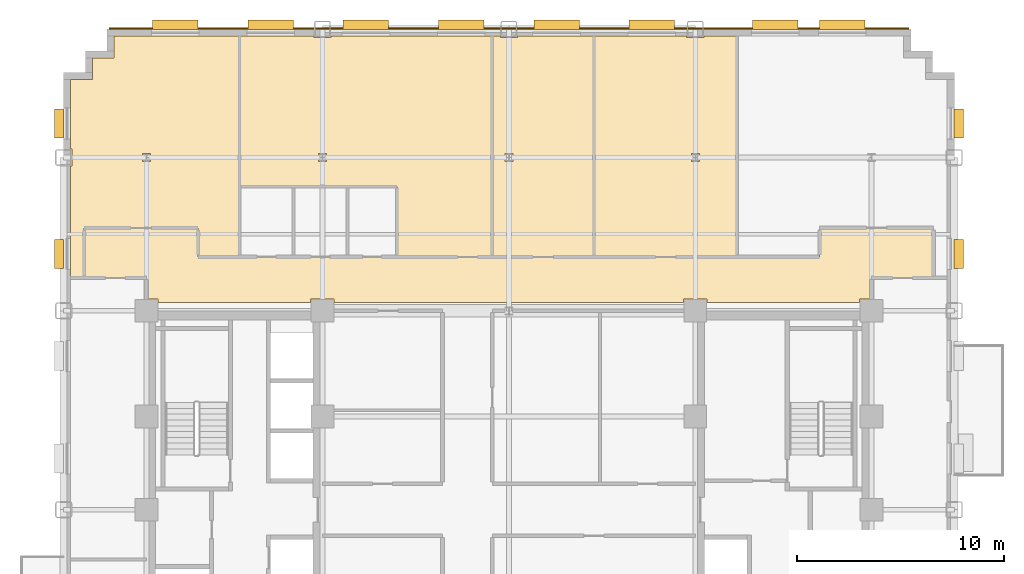
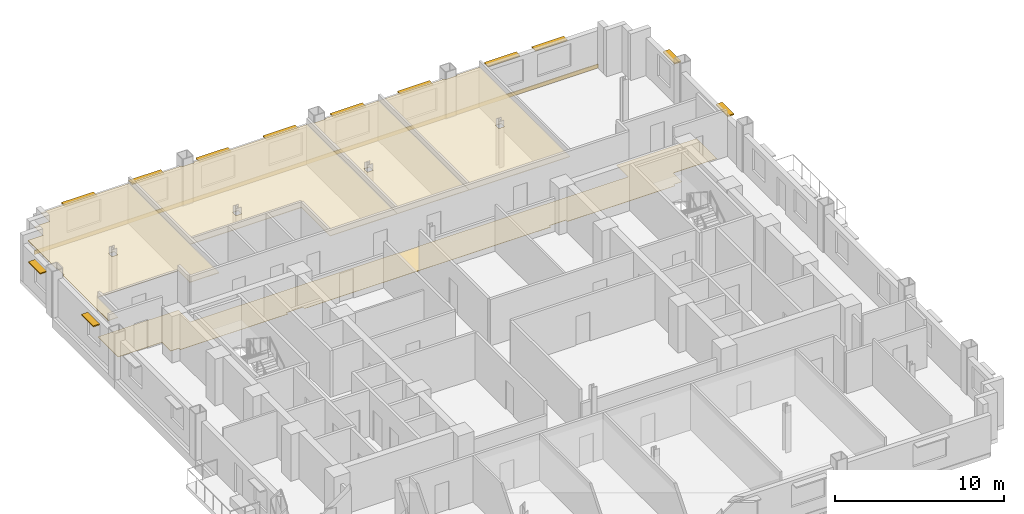
# One storey, part 14 of 14: 12 shading devices, 6 coverings.
"""IFC4 building model written with IfcOpenShell, lengths in metres."""

import ifcopenshell
import ifcopenshell.guid

model = None  # the IFC model being written
_history = None  # IfcOwnerHistory: only IFC2X3 demands one
_inside = {}  # id of a spatial element -> (the spatial element, [elements in it])
_under = {}  # id of a project, library or spatial element -> (it, [spatial elements below it])
_declared = {}  # id of a project -> (the project, [libraries it declares])
_typed = {}  # id of a type object -> (the type object, [elements of that type])
_made_of = {}  # id of a material, layer set ... -> (it, [elements and type objects made of it])


def new_model(schema):
    """Start an empty IFC model of exactly this schema.

    Asked for "IFC4X3", IfcOpenShell would pick the latest addendum, in which some entities
    have other attributes; the version numbers below select the first issue.
    IFC2X3 requires an IfcOwnerHistory on every rooted entity: one is made here for all.
    """
    global model, _history
    if schema == "IFC4X3":
        model = ifcopenshell.file(schema_version=(4, 3, 0, 0))
    else:
        model = ifcopenshell.file(schema=schema)
    _inside.clear()
    _under.clear()
    _declared.clear()
    _typed.clear()
    _made_of.clear()
    _history = None
    if model.schema == "IFC2X3":
        org = make("IfcOrganization", Name="unknown")
        user = make(
            "IfcPersonAndOrganization",
            ThePerson=make("IfcPerson", FamilyName="unknown"),
            TheOrganization=org,
        )
        app = make(
            "IfcApplication",
            ApplicationDeveloper=org,
            Version="unknown",
            ApplicationFullName="unknown",
            ApplicationIdentifier="unknown",
        )
        _history = make(
            "IfcOwnerHistory",
            OwningUser=user,
            OwningApplication=app,
            ChangeAction="ADDED",
            CreationDate=0,
        )
    return model


def make(cls, **values):
    """One entity of the class cls with the attributes given. An attribute that is None is left unset."""
    return model.create_entity(
        cls, **{name: value for name, value in values.items() if value is not None}
    )


def rooted(cls, **values):
    """An entity with a GlobalId (a new one), such as an element, a storey or a relation."""
    return make(cls, GlobalId=ifcopenshell.guid.new(), OwnerHistory=_history, **values)


def si_unit(unit_type, name, prefix=None):
    """IfcSIUnit, for example si_unit("LENGTHUNIT", "METRE", prefix="MILLI")."""
    return make("IfcSIUnit", UnitType=unit_type, Prefix=prefix, Name=name)


def assignment(units):
    """IfcUnitAssignment: the units of a project."""
    return None if units is None else make("IfcUnitAssignment", Units=units)


def point(xyz):
    """IfcCartesianPoint."""
    return None if xyz is None else make("IfcCartesianPoint", Coordinates=xyz)


def direction(xyz):
    """IfcDirection."""
    return None if xyz is None else make("IfcDirection", DirectionRatios=xyz)


def frame(location, z_axis=None, x_axis=None):
    """IfcAxis2Placement3D, a coordinate frame: its origin and axes. An axis left out is left unset."""
    return make(
        "IfcAxis2Placement3D",
        Location=point(location),
        Axis=direction(z_axis),
        RefDirection=direction(x_axis),
    )


def frame_2d(location, x_axis=None):
    """IfcAxis2Placement2D, a coordinate frame in the plane: its origin and x axis."""
    return make(
        "IfcAxis2Placement2D", Location=point(location), RefDirection=direction(x_axis)
    )


def origin():
    """The frame at (0, 0, 0) with its axes left unset."""
    return frame((0.0, 0.0, 0.0))


def origin_2d():
    """The frame at (0, 0) in the plane with its x axis left unset."""
    return frame_2d((0.0, 0.0))


def place(relative_to, where):
    """IfcLocalPlacement: puts the frame where relative to a parent placement (None: the world)."""
    return make(
        "IfcLocalPlacement", PlacementRelTo=relative_to, RelativePlacement=where
    )


def context(
    kind, dimensions, precision=None, world=None, true_north=None, identifier=None
):
    """IfcGeometricRepresentationContext, for example the 3D "Model" context."""
    return make(
        "IfcGeometricRepresentationContext",
        ContextIdentifier=identifier,
        ContextType=kind,
        CoordinateSpaceDimension=dimensions,
        Precision=precision,
        WorldCoordinateSystem=world,
        TrueNorth=true_north,
    )


def subcontext(parent, identifier, kind, view, scale=None):
    """IfcGeometricRepresentationSubContext, for example "Body" below "Model"."""
    return make(
        "IfcGeometricRepresentationSubContext",
        ContextIdentifier=identifier,
        ContextType=kind,
        ParentContext=parent,
        TargetScale=scale,
        TargetView=view,
    )


def project(units=None, contexts=None):
    """IfcProject with its units and contexts."""
    return rooted(
        "IfcProject",
        Name="project",
        RepresentationContexts=contexts,
        UnitsInContext=assignment(units),
    )


def spatial(cls, under=None, at=None, **own):
    """A site, building, storey or space (cls), placed at a placement, below another one or the project."""
    s = rooted(cls, ObjectPlacement=at, **own)
    if under is not None:
        _under.setdefault(under.id(), (under, []))[1].append(s)
    return s


def polyline(points):
    """IfcPolyline through the points."""
    return make("IfcPolyline", Points=[point(p) for p in points])


def profile(cls, at=None, kind="AREA", **sizes):
    """A parametric profile (cls). Its sizes go by their IFC names, for example OverallWidth=200.0."""
    return make(cls, ProfileType=kind, Position=at, **sizes)


def rectangle(**sizes):
    """IfcRectangleProfileDef."""
    return profile("IfcRectangleProfileDef", **sizes)


def outline(outer, holes=None, kind="AREA"):
    """IfcArbitraryClosedProfileDef: a profile drawn as a closed curve; with holes, ...WithVoids."""
    if holes is None:
        return make("IfcArbitraryClosedProfileDef", ProfileType=kind, OuterCurve=outer)
    return make(
        "IfcArbitraryProfileDefWithVoids",
        ProfileType=kind,
        OuterCurve=outer,
        InnerCurves=holes,
    )


def extrude(swept, where, along, depth):
    """IfcExtrudedAreaSolid: the profile swept, set in the frame where, extruded along a direction by depth."""
    return make(
        "IfcExtrudedAreaSolid",
        SweptArea=swept,
        Position=where,
        ExtrudedDirection=direction(along),
        Depth=depth,
    )


def shape(context_of_items, identifier, shape_type, items):
    """IfcShapeRepresentation: the items that make up one representation, for example the "Body"."""
    return make(
        "IfcShapeRepresentation",
        ContextOfItems=context_of_items,
        RepresentationIdentifier=identifier,
        RepresentationType=shape_type,
        Items=items,
    )


def source(mapping_origin, context_of_items, identifier, shape_type, items):
    """IfcRepresentationMap: a shape defined once, which mapped items show again and again."""
    return make(
        "IfcRepresentationMap",
        MappingOrigin=mapping_origin,
        MappedRepresentation=shape(context_of_items, identifier, shape_type, items),
    )


def transform(
    local_origin,
    x_axis=None,
    y_axis=None,
    z_axis=None,
    scale=None,
    scale2=None,
    scale3=None,
    uniform=True,
):
    """IfcCartesianTransformationOperator3D, or its non-uniform kind. x_axis, y_axis, z_axis: its Axis1, 2, 3."""
    if uniform:
        return make(
            "IfcCartesianTransformationOperator3D",
            Axis1=direction(x_axis),
            Axis2=direction(y_axis),
            LocalOrigin=point(local_origin),
            Scale=scale,
            Axis3=direction(z_axis),
        )
    return make(
        "IfcCartesianTransformationOperator3DnonUniform",
        Axis1=direction(x_axis),
        Axis2=direction(y_axis),
        LocalOrigin=point(local_origin),
        Scale=scale,
        Axis3=direction(z_axis),
        Scale2=scale2,
        Scale3=scale3,
    )


def mapped(mapping_source, mapping_target):
    """IfcMappedItem: shows the shape of a source again, moved by a transform."""
    return make(
        "IfcMappedItem", MappingSource=mapping_source, MappingTarget=mapping_target
    )


def material(Name=None, Category=None):
    """IfcMaterial."""
    return make("IfcMaterial", Name=Name, Category=Category)


def layer(
    of_material, thickness, ventilated=None, Name=None, Category=None, Priority=None
):
    """IfcMaterialLayer: one layer of a wall or slab, of a material (None: an air gap)."""
    return make(
        "IfcMaterialLayer",
        Material=of_material,
        LayerThickness=thickness,
        IsVentilated=ventilated,
        Name=Name,
        Category=Category,
        Priority=Priority,
    )


def layer_set(layers, Name=None):
    """IfcMaterialLayerSet."""
    return make("IfcMaterialLayerSet", MaterialLayers=layers, LayerSetName=Name)


def made_of(thing, what):
    """Note that an element or type object is made of a material, layer set ...; save() writes the relation."""
    if what is not None:
        _made_of.setdefault(what.id(), (what, []))[1].append(thing)
    return thing


def type_object(cls, material=None, **own):
    """A type object (cls), such as IfcWallType, which elements share."""
    return made_of(rooted(cls, **own), material)


def type_shapes(of_type, sources):
    """Give a type object the sources (RepresentationMaps) that its elements show as mapped items."""
    of_type.RepresentationMaps = sources


def element(
    cls,
    number,
    at=None,
    inside=None,
    cuts=None,
    type_object=None,
    material=None,
    context=None,
    identifier="Body",
    shape_type=None,
    held_by="IfcProductDefinitionShape",
    body=None,
    shapes=None,
    **own,
):
    """One element of the class cls, such as IfcWall. Its Tag is "e" and its number.

    at: its placement. inside: the storey or other place that contains it. cuts: it is an
    opening in that element (IfcRelVoidsElement). A single representation is given by context,
    identifier, shape_type and body (its items); several are given by shapes. held_by: the class
    of the entity that holds the representations. save() writes the other relations.
    """
    e = rooted(cls, Tag="e%d" % number, ObjectPlacement=at, **own)
    if body is not None:
        shapes = [shape(context, identifier, shape_type, body)]
    if shapes is not None:
        e.Representation = make(held_by, Representations=shapes)
    if inside is not None:
        _inside.setdefault(inside.id(), (inside, []))[1].append(e)
    if cuts is not None:
        rooted(
            "IfcRelVoidsElement", RelatingBuildingElement=cuts, RelatedOpeningElement=e
        )
    if type_object is not None:
        _typed.setdefault(type_object.id(), (type_object, []))[1].append(e)
    return made_of(e, material)


def aggregate(whole, parts):
    """IfcRelAggregates: a whole, such as a stair, and the parts it consists of."""
    return rooted("IfcRelAggregates", RelatingObject=whole, RelatedObjects=parts)


def save(model, path):
    """Write the relations noted so far, then the file.

    IfcRelAggregates (storeys below a building ...), IfcRelContainedInSpatialStructure (elements
    in a storey), IfcRelDefinesByType, IfcRelAssociatesMaterial and IfcRelDeclares: one each for
    every whole, place, type object, material and project.
    """
    for whole, parts in _under.values():
        aggregate(whole, parts)
    for where, things in _inside.values():
        rooted(
            "IfcRelContainedInSpatialStructure",
            RelatedElements=things,
            RelatingStructure=where,
        )
    for kind, things in _typed.values():
        rooted("IfcRelDefinesByType", RelatedObjects=things, RelatingType=kind)
    for what, things in _made_of.values():
        rooted("IfcRelAssociatesMaterial", RelatedObjects=things, RelatingMaterial=what)
    for by, libraries in _declared.values():
        rooted("IfcRelDeclares", RelatingContext=by, RelatedDefinitions=libraries)
    model.write(path)


model = new_model("IFC4")

# Units and contexts
model_context = context("Model", 3, precision=1e-05, world=origin(), true_north=direction((0.0, 1.0)))
body_context = subcontext(model_context, "Body", "Model", "MODEL_VIEW")
ifc_project = project(units=[si_unit("LENGTHUNIT", "METRE"), si_unit("AREAUNIT", "SQUARE_METRE"), si_unit("VOLUMEUNIT", "CUBIC_METRE"), si_unit("PLANEANGLEUNIT", "RADIAN"), si_unit("MASSUNIT", "GRAM", prefix="KILO")], contexts=[model_context])

# Site, building, storey
site_placement = place(None, origin())
site = spatial("IfcSite", under=ifc_project, at=site_placement, CompositionType="ELEMENT")
building_placement = place(site_placement, origin())
building = spatial("IfcBuilding", under=site, at=building_placement, Name="Nuvemarco Arch Tower", CompositionType="ELEMENT")
storey_placement = place(building_placement, frame((0.0, 0.0, 75.050048828125)))
storey = spatial("IfcBuildingStorey", under=building, at=storey_placement, Name="L19", CompositionType="ELEMENT", Elevation=75.050048828125)

# Coverings
ifc_material_1 = material(Name="Mineral acoustic ceiling tile")
ifc_layer_1 = layer(ifc_material_1, 0.0400390625, Name="COV-ACOUSTIC-CLG")
ifc_layer_set_1 = layer_set([ifc_layer_1], Name="Mineral acoustic ceiling tile")
covering_type_1 = type_object("IfcCoveringType", Name="COV-ACOUSTIC-CLG", PredefinedType="CEILING", material=ifc_layer_set_1)
covering_1_placement = place(storey_placement, frame((0.0, 0.0, 2.849853515625)))
element("IfcCovering", 1, at=covering_1_placement, inside=storey, type_object=covering_type_1, Name="L19 suspended acoustic ceiling 1", PredefinedType="CEILING", context=body_context, shape_type="SweptSolid", body=[
    extrude(outline(polyline([(-10.39990234375, 15.60009765625), (-13.0, 15.60009765625), (-13.0, 22.860107421875), (-9.4150390625, 22.860107421875), (-9.4150390625, 22.784912109375), (-8.5849609375, 22.784912109375), (-8.5849609375, 22.860107421875), (-0.800048828125, 22.860107421875), (-0.800048828125, 12.199951171875), (-3.199951171875, 12.199951171875), (-5.39990234375, 12.199951171875), (-5.39990234375, 15.60009765625), (-7.800048828125, 15.60009765625), (-10.39990234375, 15.60009765625)]), holes=[polyline([(-8.804931640625, 16.804931640625), (-8.804931640625, 17.195068359375), (-9.195068359375, 17.195068359375), (-9.195068359375, 16.804931640625), (-8.804931640625, 16.804931640625)])]), origin(), (0.0, 0.0, 1.0), 0.0400390625),
])
covering_2_placement = place(storey_placement, frame((0.0, 0.0, 2.849853515625)))
element("IfcCovering", 2, at=covering_2_placement, inside=storey, type_object=covering_type_1, Name="L19 suspended acoustic ceiling 2", PredefinedType="CEILING", context=body_context, shape_type="SweptSolid", body=[
    extrude(outline(polyline([(-21.159912109375, 11.199951171875), (-21.159912109375, 16.5849609375), (-21.0849609375, 16.5849609375), (-21.0849609375, 17.4150390625), (-21.159912109375, 17.4150390625), (-21.159912109375, 20.760009765625), (-20.110107421875, 20.760009765625), (-20.110107421875, 21.81005859375), (-19.06005859375, 21.81005859375), (-19.06005859375, 22.860107421875), (-13.0, 22.860107421875), (-13.0, 15.60009765625), (-13.0, 12.199951171875), (-15.0, 12.199951171875), (-15.0, 13.60009765625), (-20.5, 13.60009765625), (-20.5, 11.199951171875), (-21.159912109375, 11.199951171875)]), holes=[polyline([(-17.304931640625, 16.804931640625), (-17.304931640625, 17.195068359375), (-17.695068359375, 17.195068359375), (-17.695068359375, 16.804931640625), (-17.304931640625, 16.804931640625)])]), origin(), (0.0, 0.0, 1.0), 0.0400390625),
])
covering_3_placement = place(storey_placement, frame((0.0, 0.0, 2.849853515625)))
element("IfcCovering", 3, at=covering_3_placement, inside=storey, type_object=covering_type_1, Name="L19 suspended acoustic ceiling 4", PredefinedType="CEILING", context=body_context, shape_type="SweptSolid", body=[
    extrude(outline(polyline([(11.02001953125, 12.199951171875), (4.110107421875, 12.199951171875), (4.110107421875, 22.860107421875), (8.5849609375, 22.860107421875), (8.5849609375, 22.784912109375), (9.4150390625, 22.784912109375), (9.4150390625, 22.860107421875), (11.02001953125, 22.860107421875), (11.02001953125, 12.199951171875)]), holes=[polyline([(9.195068359375, 17.195068359375), (8.804931640625, 17.195068359375), (8.804931640625, 16.804931640625), (9.195068359375, 16.804931640625), (9.195068359375, 17.195068359375)])]), origin(), (0.0, 0.0, 1.0), 0.0400390625),
])
covering_4_placement = place(storey_placement, frame((0.0, 0.0, 2.849853515625)))
element("IfcCovering", 4, at=covering_4_placement, inside=storey, type_object=covering_type_1, Name="L19 suspended acoustic ceiling 7", PredefinedType="CEILING", context=body_context, shape_type="SweptSolid", body=[
    extrude(outline(polyline([(4.110107421875, 12.199951171875), (-0.800048828125, 12.199951171875), (-0.800048828125, 22.860107421875), (-0.4150390625, 22.860107421875), (-0.4150390625, 22.784912109375), (0.4150390625, 22.784912109375), (0.4150390625, 22.860107421875), (4.110107421875, 22.860107421875), (4.110107421875, 12.199951171875)]), holes=[polyline([(0.195068359375, 16.804931640625), (0.195068359375, 17.195068359375), (-0.195068359375, 17.195068359375), (-0.195068359375, 16.804931640625), (0.195068359375, 16.804931640625)])]), origin(), (0.0, 0.0, 1.0), 0.0400390625),
])
ifc_material_2 = material(Name="Polished granite terrazzostone flooring", Category="masonry")
ifc_layer_2 = layer(ifc_material_2, 0.02001953125, Name="COV-LOBBY-FLR")
ifc_layer_set_2 = layer_set([ifc_layer_2], Name="Polished granite terrazzostone flooring")
covering_type_2 = type_object("IfcCoveringType", Name="COV-LOBBY-FLR", PredefinedType="FLOORING", material=ifc_layer_set_2)
covering_5_placement = place(storey_placement, origin())
element("IfcCovering", 5, at=covering_5_placement, inside=storey, type_object=covering_type_2, Name="L19 polished terrazzo lobby flooring", PredefinedType="FLOORING", context=body_context, shape_type="SweptSolid", body=[
    extrude(outline(polyline([(-8.43505859375, 10.1650390625), (-9.56494140625, 10.1650390625), (-9.56494140625, 10.0), (-16.93505859375, 10.0), (-16.93505859375, 10.1650390625), (-17.5, 10.1650390625), (-17.5, 11.199951171875), (-20.5, 11.199951171875), (-20.5, 13.60009765625), (-15.0, 13.60009765625), (-15.0, 12.199951171875), (-3.199951171875, 12.199951171875), (-0.800048828125, 12.199951171875), (15.0, 12.199951171875), (15.0, 13.60009765625), (20.5, 13.60009765625), (20.5, 11.199951171875), (17.5, 11.199951171875), (17.5, 10.1650390625), (16.93505859375, 10.1650390625), (16.93505859375, 10.0), (9.56494140625, 10.0), (9.56494140625, 10.1650390625), (8.43505859375, 10.1650390625), (8.43505859375, 10.0), (-8.43505859375, 10.0), (-8.43505859375, 10.1650390625)])), origin(), (0.0, 0.0, 1.0), 0.02001953125),
])

# Shading devices
ifc_material_3 = material(Name="Anodised aluminium 6063-T6", Category="aluminium")
shading_device_type_1 = type_object("IfcShadingDeviceType", Name="SHD-BRISE-SOLEIL", PredefinedType="USERDEFINED", material=ifc_material_3)
shared_shape_1 = source(origin(), body_context, "Body", "SweptSolid", [
    extrude(rectangle(XDim=2.199951171875, YDim=0.449951171875, at=origin_2d()), origin(), (0.0, 0.0, 1.0), 0.080078125),
])
type_shapes(shading_device_type_1, [shared_shape_1])
for number, where, z_axis, x_axis, name in (
    (6, (-16.10009765625, 23.4150390625, 2.4248046875), (0.0, 0.0, 1.0), (1.0, 0.0, 0.0), "L19 horizontal brise-soleil sunshade"),
    (7, (-11.5, 23.4150390625, 2.4248046875), (0.0, 0.0, 1.0), (1.0, 0.0, 0.0), "L19 horizontal brise-soleil sunshade"),
    (8, (-6.89990234375, 23.4150390625, 2.4248046875), (0.0, 0.0, 1.0), (1.0, 0.0, 0.0), "L19 horizontal brise-soleil sunshade"),
    (9, (-2.300048828125, 23.4150390625, 2.4248046875), (0.0, 0.0, 1.0), (1.0, 0.0, 0.0), "L19 horizontal brise-soleil sunshade"),
    (10, (2.300048828125, 23.4150390625, 2.4248046875), (0.0, 0.0, 1.0), (1.0, 0.0, 0.0), "L19 horizontal brise-soleil sunshade"),
    (11, (6.89990234375, 23.4150390625, 2.4248046875), (0.0, 0.0, 1.0), (1.0, 0.0, 0.0), "L19 horizontal brise-soleil sunshade"),
    (12, (12.85009765625, 23.4150390625, 2.4248046875), (0.0, 0.0, 1.0), (1.0, 0.0, 0.0), "L19 horizontal brise-soleil sunshade"),
    (13, (16.10009765625, 23.4150390625, 2.4248046875), (0.0, 0.0, 1.0), (1.0, 0.0, 0.0), "L19 horizontal brise-soleil sunshade"),
):
    element("IfcShadingDevice", number, at=place(storey_placement, frame(where, z_axis=z_axis, x_axis=x_axis)), inside=storey, type_object=shading_device_type_1, Name=name, ObjectType="SUNSHADE", PredefinedType="USERDEFINED", context=body_context, shape_type="MappedRepresentation", body=[
        mapped(shared_shape_1, transform((0.0, 0.0, 0.0), scale=1.0)),
    ])
shading_device_type_2 = type_object("IfcShadingDeviceType", Name="SHD-BRISE-NARROW", PredefinedType="USERDEFINED", material=ifc_material_3)
shared_shape_2 = source(origin(), body_context, "Body", "SweptSolid", [
    extrude(rectangle(XDim=1.39990234375, YDim=0.449951171875, at=origin_2d()), origin(), (0.0, 0.0, 1.0), 0.080078125),
])
type_shapes(shading_device_type_2, [shared_shape_2])
for number, where, z_axis, x_axis, name in (
    (14, (21.715087890625, 12.3525390625, 2.405029296875), (0.0, 0.0, 1.0), (0.0, 1.0, 0.0), "L19 horizontal brise-soleil sunshade"),
    (15, (21.715087890625, 18.6435546875, 2.405029296875), (0.0, 0.0, 1.0), (0.0, 1.0, 0.0), "L19 horizontal brise-soleil sunshade"),
    (16, (-21.715087890625, 12.3525390625, 2.405029296875), (0.0, 0.0, 1.0), (0.0, 1.0, 0.0), "L19 horizontal brise-soleil sunshade"),
    (17, (-21.715087890625, 18.6435546875, 2.405029296875), (0.0, 0.0, 1.0), (0.0, 1.0, 0.0), "L19 horizontal brise-soleil sunshade"),
):
    element("IfcShadingDevice", number, at=place(storey_placement, frame(where, z_axis=z_axis, x_axis=x_axis)), inside=storey, type_object=shading_device_type_2, Name=name, ObjectType="SUNSHADE", PredefinedType="USERDEFINED", context=body_context, shape_type="MappedRepresentation", body=[
        mapped(shared_shape_2, transform((0.0, 0.0, 0.0), scale=1.0)),
    ])

# Covering
ifc_material_4 = material(Name="Precast concrete C45/55", Category="concrete")
ifc_layer_3 = layer(ifc_material_4, 0.06005859375, Name="COV-SPANDREL-CLAD")
ifc_layer_set_3 = layer_set([ifc_layer_3], Name="Precast concrete C45/55")
covering_type_3 = type_object("IfcCoveringType", Name="COV-SPANDREL-CLAD", PredefinedType="CLADDING", material=ifc_layer_set_3)
shared_shape_3 = source(origin(), body_context, "Body", "SweptSolid", [
    extrude(rectangle(XDim=38.60009765625, YDim=0.06005859375, at=origin_2d()), origin(), (0.0, 0.0, 1.0), 0.280029296875),
])
type_shapes(covering_type_3, [shared_shape_3])
covering_6_placement = place(storey_placement, frame((0.0, 23.22900390625, -0.2802734375), z_axis=(0.0, 0.0, 1.0), x_axis=(1.0, 0.0, 0.0)))
element("IfcCovering", 18, at=covering_6_placement, inside=storey, type_object=covering_type_3, Name="L19 precast spandrel edge cladding north", PredefinedType="CLADDING", context=body_context, shape_type="MappedRepresentation", body=[
    mapped(shared_shape_3, transform((0.0, 0.0, 0.0), scale=1.0)),
])

save(model, "model.ifc")
